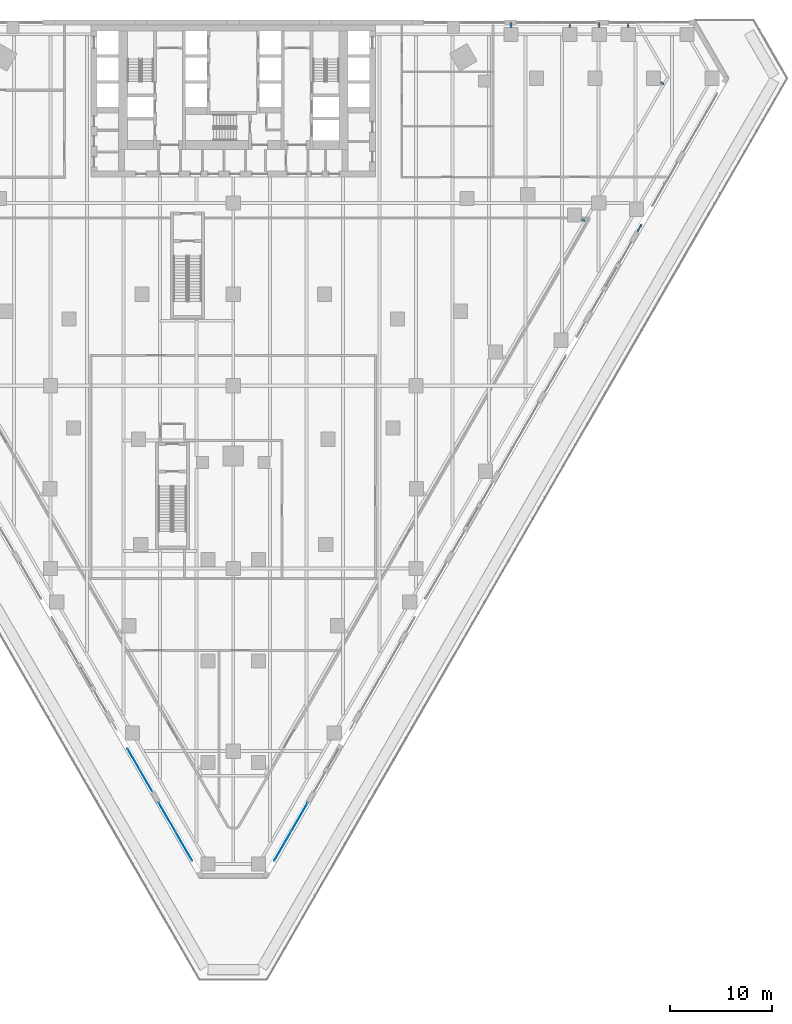
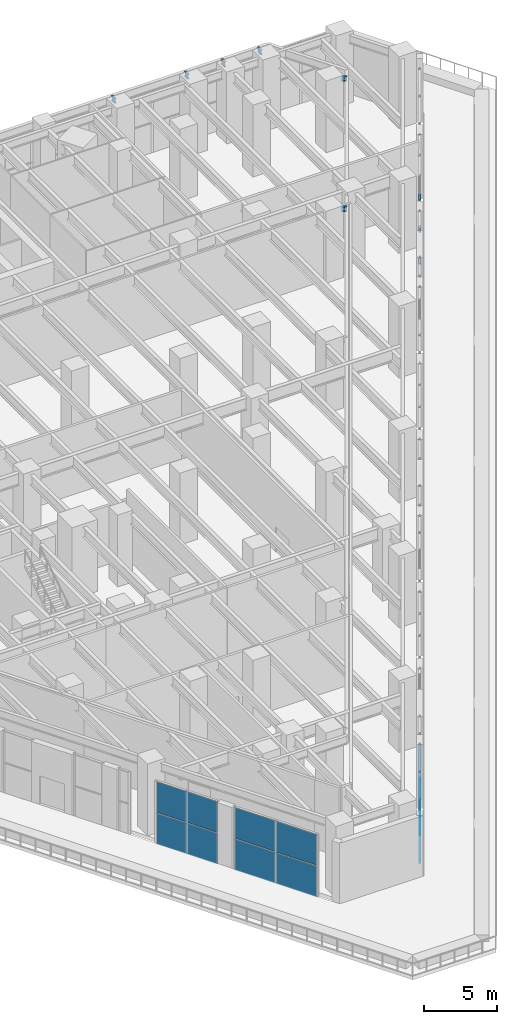
# One storey, part 20 of 40: 12 plates, 6 beams, 3 members, 4 elements without a shape of their own.
"""IFC4 building model written with IfcOpenShell, lengths in metres."""

from ifc_helpers import new_model, si_unit, direction, frame, origin, origin_2d, place, context, subcontext, project, spatial, rectangle, i_section, extrude, material, layer, layer_set, material_profile, profile_set, type_object, element, aggregate, save


model = new_model("IFC4")

# Units and contexts
model_context = context("Model", 3, precision=1e-05, world=origin(), true_north=direction((0.0, 1.0)))
body_context = subcontext(model_context, "Body", "Model", "MODEL_VIEW")
ifc_project = project(units=[si_unit("LENGTHUNIT", "METRE"), si_unit("AREAUNIT", "SQUARE_METRE"), si_unit("VOLUMEUNIT", "CUBIC_METRE"), si_unit("PLANEANGLEUNIT", "RADIAN"), si_unit("MASSUNIT", "GRAM", prefix="KILO")], contexts=[model_context])

# Site, building, storey
site_placement = place(None, origin())
site = spatial("IfcSite", under=ifc_project, at=site_placement, CompositionType="ELEMENT")
building_placement = place(site_placement, origin())
building = spatial("IfcBuilding", under=site, at=building_placement, Name="Aloe Facet Convention Tower", CompositionType="ELEMENT")
storey_placement = place(building_placement, frame((0.0, 0.0, 13.5)))
storey = spatial("IfcBuildingStorey", under=building, at=storey_placement, Name="L02", CompositionType="ELEMENT", Elevation=13.5)

# Beams
ifc_material_1 = material(Name="Steel S355", Category="steel")
ifc_material_profile_1 = material_profile(ifc_material_1, i_section(OverallWidth=0.177734375, OverallDepth=0.402587890625, WebThickness=0.0078125, FlangeThickness=0.010986328125, FilletRadius=0.01025390625, at=origin_2d()), Name="UB 406x178x54")
ifc_profile_set_1 = profile_set([ifc_material_profile_1], Name="Steel S355")
beam_type = type_object("IfcBeamType", Name="EV-BR-UB406x178x54", PredefinedType="BEAM", material=ifc_profile_set_1)
for number, where, z_axis, x_axis, name in (
    (1, (107.364990234375, 134.300048828125, 5.548583984375), (0.0, 1.0, 0.0), (-1.0, 0.0, 0.0), "EB-L03-N-BR01"),
    (2, (113.138916015625, 134.300048828125, 5.548583984375), (0.0, 1.0, 0.0), (-1.0, 0.0, 0.0), "EB-L03-N-BR02"),
    (3, (116.0419921875, 134.300048828125, 5.548583984375), (0.0, 1.0, 0.0), (-1.0, 0.0, 0.0), "EB-L03-N-BR03"),
    (4, (118.912109375, 134.300048828125, 5.548583984375), (0.0, 1.0, 0.0), (-1.0, 0.0, 0.0), "EB-L03-N-BR04"),
):
    element("IfcBeam", number, at=place(storey_placement, frame(where, z_axis=z_axis, x_axis=x_axis)), inside=storey, type_object=beam_type, Name=name, PredefinedType="BEAM", context=body_context, shape_type="SweptSolid", body=[
        extrude(i_section(OverallWidth=0.177734375, OverallDepth=0.402587890625, WebThickness=0.0078125, FlangeThickness=0.010986328125, FilletRadius=0.01025390625, at=origin_2d()), origin(), (0.0, 0.0, 1.0), 0.474853515625),
    ])
beam_1_placement = place(storey_placement, frame((114.321044921875, 115.40087890625, 5.548583984375), z_axis=(0.866108113019, -0.499856716032, 0.0), x_axis=(0.499856716032, 0.866108113019, 0.0)))
element("IfcBeam", 5, at=beam_1_placement, inside=storey, type_object=beam_type, Name="EB-L03-E-BR02", PredefinedType="BEAM", context=body_context, shape_type="SweptSolid", body=[
    extrude(i_section(OverallWidth=0.177734375, OverallDepth=0.402587890625, WebThickness=0.0078125, FlangeThickness=0.010986328125, FilletRadius=0.01025390625, at=origin_2d()), origin(), (0.0, 0.0, 1.0), 0.3671875),
])
beam_2_placement = place(storey_placement, frame((122.10400390625, 128.8798828125, 5.548583984375), z_axis=(0.865897129857, -0.500222111171, 0.0), x_axis=(0.500222111171, 0.865897129857, 0.0)))
element("IfcBeam", 6, at=beam_2_placement, inside=storey, type_object=beam_type, Name="EB-L03-E-BR03", PredefinedType="BEAM", context=body_context, shape_type="SweptSolid", body=[
    extrude(i_section(OverallWidth=0.177734375, OverallDepth=0.402587890625, WebThickness=0.0078125, FlangeThickness=0.010986328125, FilletRadius=0.01025390625, at=origin_2d()), origin(), (0.0, 0.0, 1.0), 0.366455078125),
])

# Curtain wall, members
ifc_material_2 = material(Name="Aluminium, anodised", Category="aluminium")
curtain_wall_type = type_object("IfcCurtainWallType", Name="EV-CW-HALL", PredefinedType="USERDEFINED", material=ifc_material_2)
curtain_wall_1_placement = place(storey_placement, origin())
curtain_wall_1 = element("IfcCurtainWall", 7, at=curtain_wall_1_placement, inside=storey, type_object=curtain_wall_type, Name="CW-L02-E18-1", ObjectType="UNITISED HALL GLAZING", PredefinedType="USERDEFINED")
ifc_material_3 = material(Name="Aluminium, anodised", Category="aluminium")
ifc_material_profile_2 = material_profile(ifc_material_3, rectangle(XDim=0.159912109375, YDim=0.06494140625, at=origin_2d()), Name="AL 160x65")
ifc_profile_set_2 = profile_set([ifc_material_profile_2], Name="Aluminium, anodised")
member_type = type_object("IfcMemberType", Name="EV-TRAN-HALL", PredefinedType="USERDEFINED", material=ifc_profile_set_2)
member_1_placement = place(storey_placement, frame((119.832763671875, 114.213134765625, -0.267578125), z_axis=(0.500112705049, 0.865960323715, 0.0), x_axis=(-0.865960323715, 0.500112705049, 0.0)))
member_1 = element("IfcMember", 8, at=member_1_placement, type_object=member_type, Name="CW-L02-E18-1 transom 1.1", ObjectType="TRANSOM", PredefinedType="USERDEFINED", context=body_context, shape_type="SweptSolid", body=[
    extrude(rectangle(XDim=0.159912109375, YDim=0.06494140625, at=origin_2d()), origin(), (0.0, 0.0, 1.0), 0.739990234375),
])
member_2_placement = place(storey_placement, frame((119.832763671875, 114.213134765625, 2.38134765625), z_axis=(0.500112705049, 0.865960323715, 0.0), x_axis=(-0.865960323715, 0.500112705049, 0.0)))
member_2 = element("IfcMember", 9, at=member_2_placement, type_object=member_type, Name="CW-L02-E18-1 transom 1.2", ObjectType="TRANSOM", PredefinedType="USERDEFINED", context=body_context, shape_type="SweptSolid", body=[
    extrude(rectangle(XDim=0.159912109375, YDim=0.06494140625, at=origin_2d()), origin(), (0.0, 0.0, 1.0), 0.739990234375),
])
member_3_placement = place(storey_placement, frame((119.832763671875, 114.213134765625, 5.030029296875), z_axis=(0.500112705049, 0.865960323715, 0.0), x_axis=(-0.865960323715, 0.500112705049, 0.0)))
member_3 = element("IfcMember", 10, at=member_3_placement, type_object=member_type, Name="CW-L02-E18-1 transom 1.3", ObjectType="TRANSOM", PredefinedType="USERDEFINED", context=body_context, shape_type="SweptSolid", body=[
    extrude(rectangle(XDim=0.159912109375, YDim=0.06494140625, at=origin_2d()), origin(), (0.0, 0.0, 1.0), 0.739990234375),
])
aggregate(curtain_wall_1, [member_1, member_2, member_3])

# Curtain wall, plates
curtain_wall_2_placement = place(storey_placement, origin())
curtain_wall_2 = element("IfcCurtainWall", 11, at=curtain_wall_2_placement, inside=storey, type_object=curtain_wall_type, Name="CW-L02-W18-2", ObjectType="UNITISED HALL GLAZING", PredefinedType="USERDEFINED")
ifc_material_4 = material(Name="Clear double glazing", Category="glass")
ifc_layer = layer(ifc_material_4, 0.035888671875)
ifc_layer_set = layer_set([ifc_layer], Name="EV-PANEL-HALL")
plate_type = type_object("IfcPlateType", Name="EV-PANEL-HALL", PredefinedType="CURTAIN_PANEL", material=ifc_layer_set)
plate_1_placement = place(storey_placement, frame((70.18603515625, 62.21875, -0.23486328125), z_axis=(0.0, 0.0, 1.0), x_axis=(0.50000000003, -0.866025403767, 0.0)))
plate_1 = element("IfcPlate", 12, at=plate_1_placement, type_object=plate_type, Name="CW-L02-W18-2 panel 1.1", PredefinedType="CURTAIN_PANEL", context=body_context, shape_type="SweptSolid", body=[
    extrude(rectangle(XDim=2.392578125, YDim=0.035888671875, at=origin_2d()), origin(), (0.0, 0.0, 1.0), 2.583740234375),
])
plate_2_placement = place(storey_placement, frame((70.18603515625, 62.21875, 2.41357421875), z_axis=(0.0, 0.0, 1.0), x_axis=(0.50000000003, -0.866025403767, 0.0)))
plate_2 = element("IfcPlate", 13, at=plate_2_placement, type_object=plate_type, Name="CW-L02-W18-2 panel 1.2", PredefinedType="CURTAIN_PANEL", context=body_context, shape_type="SweptSolid", body=[
    extrude(rectangle(XDim=2.392578125, YDim=0.035888671875, at=origin_2d()), origin(), (0.0, 0.0, 1.0), 2.583740234375),
])
plate_3_placement = place(storey_placement, frame((71.414794921875, 60.090576171875, -0.23486328125), z_axis=(0.0, 0.0, 1.0), x_axis=(0.50000000003, -0.866025403767, 0.0)))
plate_3 = element("IfcPlate", 14, at=plate_3_placement, type_object=plate_type, Name="CW-L02-W18-2 panel 2.1", PredefinedType="CURTAIN_PANEL", context=body_context, shape_type="SweptSolid", body=[
    extrude(rectangle(XDim=2.392578125, YDim=0.035888671875, at=origin_2d()), origin(), (0.0, 0.0, 1.0), 2.583740234375),
])
plate_4_placement = place(storey_placement, frame((71.414794921875, 60.090576171875, 2.41357421875), z_axis=(0.0, 0.0, 1.0), x_axis=(0.50000000003, -0.866025403767, 0.0)))
plate_4 = element("IfcPlate", 15, at=plate_4_placement, type_object=plate_type, Name="CW-L02-W18-2 panel 2.2", PredefinedType="CURTAIN_PANEL", context=body_context, shape_type="SweptSolid", body=[
    extrude(rectangle(XDim=2.392578125, YDim=0.035888671875, at=origin_2d()), origin(), (0.0, 0.0, 1.0), 2.583740234375),
])
aggregate(curtain_wall_2, [plate_1, plate_2, plate_3, plate_4])

curtain_wall_3_placement = place(storey_placement, origin())
curtain_wall_3 = element("IfcCurtainWall", 16, at=curtain_wall_3_placement, inside=storey, type_object=curtain_wall_type, Name="CW-L02-W20", ObjectType="UNITISED HALL GLAZING", PredefinedType="USERDEFINED")
plate_5_placement = place(storey_placement, frame((73.48681640625, 56.501708984375, -0.23486328125), z_axis=(0.0, 0.0, 1.0), x_axis=(0.50000000006, -0.86602540375, 0.0)))
plate_5 = element("IfcPlate", 17, at=plate_5_placement, type_object=plate_type, Name="CW-L02-W20 panel 1.1", PredefinedType="CURTAIN_PANEL", context=body_context, shape_type="SweptSolid", body=[
    extrude(rectangle(XDim=3.235595703125, YDim=0.035888671875, at=origin_2d()), origin(), (0.0, 0.0, 1.0), 2.583740234375),
])
plate_6_placement = place(storey_placement, frame((73.48681640625, 56.501708984375, 2.41357421875), z_axis=(0.0, 0.0, 1.0), x_axis=(0.50000000006, -0.86602540375, 0.0)))
plate_6 = element("IfcPlate", 18, at=plate_6_placement, type_object=plate_type, Name="CW-L02-W20 panel 1.2", PredefinedType="CURTAIN_PANEL", context=body_context, shape_type="SweptSolid", body=[
    extrude(rectangle(XDim=3.235595703125, YDim=0.035888671875, at=origin_2d()), origin(), (0.0, 0.0, 1.0), 2.583740234375),
])
plate_7_placement = place(storey_placement, frame((75.13720703125, 53.643310546875, -0.23486328125), z_axis=(0.0, 0.0, 1.0), x_axis=(0.50000000006, -0.86602540375, 0.0)))
plate_7 = element("IfcPlate", 19, at=plate_7_placement, type_object=plate_type, Name="CW-L02-W20 panel 2.1", PredefinedType="CURTAIN_PANEL", context=body_context, shape_type="SweptSolid", body=[
    extrude(rectangle(XDim=3.235595703125, YDim=0.035888671875, at=origin_2d()), origin(), (0.0, 0.0, 1.0), 2.583740234375),
])
plate_8_placement = place(storey_placement, frame((75.13720703125, 53.643310546875, 2.41357421875), z_axis=(0.0, 0.0, 1.0), x_axis=(0.50000000006, -0.86602540375, 0.0)))
plate_8 = element("IfcPlate", 20, at=plate_8_placement, type_object=plate_type, Name="CW-L02-W20 panel 2.2", PredefinedType="CURTAIN_PANEL", context=body_context, shape_type="SweptSolid", body=[
    extrude(rectangle(XDim=3.235595703125, YDim=0.035888671875, at=origin_2d()), origin(), (0.0, 0.0, 1.0), 2.583740234375),
])
aggregate(curtain_wall_3, [plate_5, plate_6, plate_7, plate_8])

curtain_wall_4_placement = place(storey_placement, origin())
curtain_wall_4 = element("IfcCurtainWall", 21, at=curtain_wall_4_placement, inside=storey, type_object=curtain_wall_type, Name="CW-L02-E02", ObjectType="UNITISED HALL GLAZING", PredefinedType="USERDEFINED")
plate_9_placement = place(storey_placement, frame((84.86279296875, 53.643310546875, -0.23486328125), z_axis=(0.0, 0.0, 1.0), x_axis=(0.50000000006, 0.86602540375, 0.0)))
plate_9 = element("IfcPlate", 22, at=plate_9_placement, type_object=plate_type, Name="CW-L02-E02 panel 1.1", PredefinedType="CURTAIN_PANEL", context=body_context, shape_type="SweptSolid", body=[
    extrude(rectangle(XDim=3.235595703125, YDim=0.035888671875, at=origin_2d()), origin(), (0.0, 0.0, 1.0), 2.583740234375),
])
plate_10_placement = place(storey_placement, frame((84.86279296875, 53.643310546875, 2.41357421875), z_axis=(0.0, 0.0, 1.0), x_axis=(0.50000000006, 0.86602540375, 0.0)))
plate_10 = element("IfcPlate", 23, at=plate_10_placement, type_object=plate_type, Name="CW-L02-E02 panel 1.2", PredefinedType="CURTAIN_PANEL", context=body_context, shape_type="SweptSolid", body=[
    extrude(rectangle(XDim=3.235595703125, YDim=0.035888671875, at=origin_2d()), origin(), (0.0, 0.0, 1.0), 2.583740234375),
])
plate_11_placement = place(storey_placement, frame((86.51318359375, 56.501708984375, -0.23486328125), z_axis=(0.0, 0.0, 1.0), x_axis=(0.50000000006, 0.86602540375, 0.0)))
plate_11 = element("IfcPlate", 24, at=plate_11_placement, type_object=plate_type, Name="CW-L02-E02 panel 2.1", PredefinedType="CURTAIN_PANEL", context=body_context, shape_type="SweptSolid", body=[
    extrude(rectangle(XDim=3.235595703125, YDim=0.035888671875, at=origin_2d()), origin(), (0.0, 0.0, 1.0), 2.583740234375),
])
plate_12_placement = place(storey_placement, frame((86.51318359375, 56.501708984375, 2.41357421875), z_axis=(0.0, 0.0, 1.0), x_axis=(0.50000000006, 0.86602540375, 0.0)))
plate_12 = element("IfcPlate", 25, at=plate_12_placement, type_object=plate_type, Name="CW-L02-E02 panel 2.2", PredefinedType="CURTAIN_PANEL", context=body_context, shape_type="SweptSolid", body=[
    extrude(rectangle(XDim=3.235595703125, YDim=0.035888671875, at=origin_2d()), origin(), (0.0, 0.0, 1.0), 2.583740234375),
])
aggregate(curtain_wall_4, [plate_9, plate_10, plate_11, plate_12])

save(model, "model.ifc")
